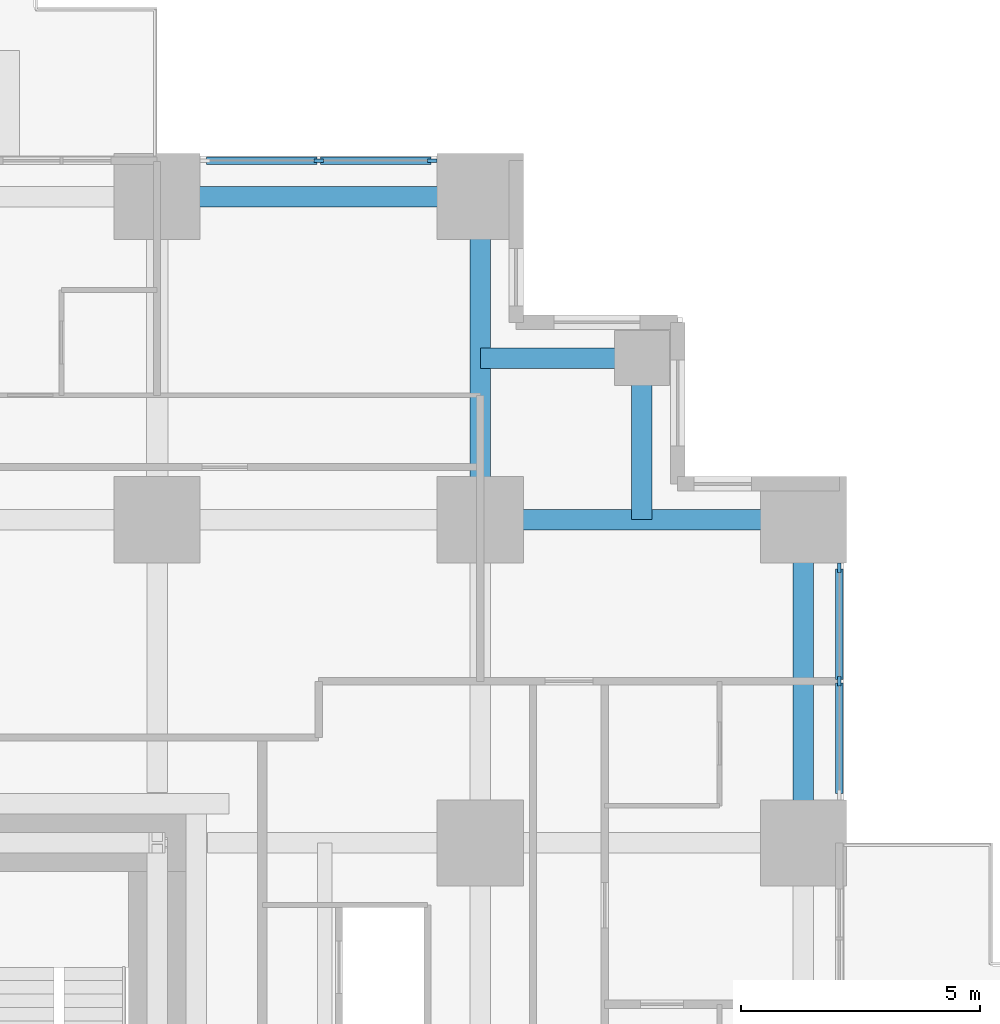
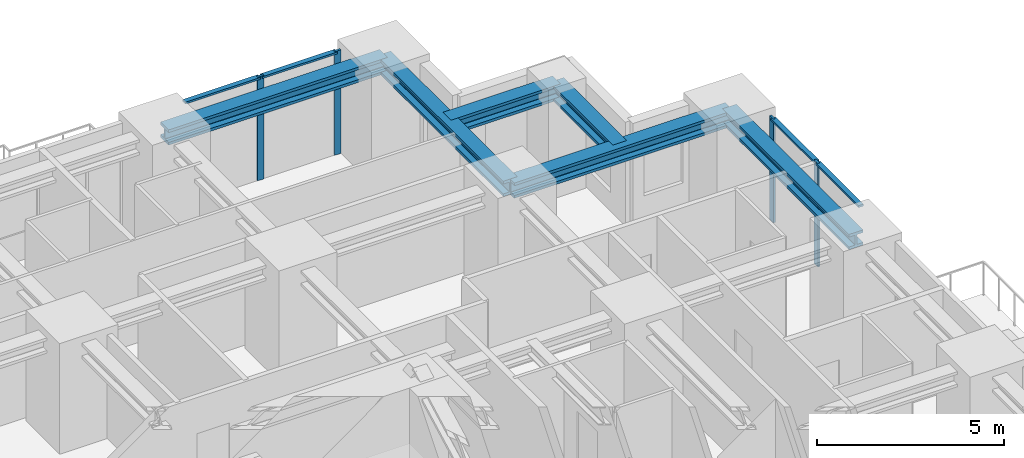
# One storey, part 6 of 14: 8 members, 6 beams, 2 elements without a shape of their own.
"""IFC4 building model written with IfcOpenShell, lengths in metres."""

from ifc_helpers import new_model, si_unit, direction, frame, origin, origin_2d, place, context, subcontext, project, spatial, rectangle, i_section, extrude, material, material_profile, profile_set, type_object, element, aggregate, save


model = new_model("IFC4")

# Units and contexts
model_context = context("Model", 3, precision=1e-05, world=origin(), true_north=direction((0.0, 1.0)))
body_context = subcontext(model_context, "Body", "Model", "MODEL_VIEW")
ifc_project = project(units=[si_unit("LENGTHUNIT", "METRE"), si_unit("AREAUNIT", "SQUARE_METRE"), si_unit("VOLUMEUNIT", "CUBIC_METRE"), si_unit("PLANEANGLEUNIT", "RADIAN"), si_unit("MASSUNIT", "GRAM", prefix="KILO")], contexts=[model_context])

# Site, building, storey
site_placement = place(None, origin())
site = spatial("IfcSite", under=ifc_project, at=site_placement, CompositionType="ELEMENT")
building_placement = place(site_placement, origin())
building = spatial("IfcBuilding", under=site, at=building_placement, Name="Nyansa Garden Tower", CompositionType="ELEMENT")
storey_placement = place(building_placement, frame((0.0, 0.0, 64.800048828125)))
storey = spatial("IfcBuildingStorey", under=building, at=storey_placement, Name="L17", CompositionType="ELEMENT", Elevation=64.800048828125)

# Curtain wall, members
ifc_material_1 = material(Name="Black anodised aluminium, dark tinted double glazing", Category="aluminium")
curtain_wall_type = type_object("IfcCurtainWallType", Name="Inner skin curtain wall ISW-A", PredefinedType="USERDEFINED", material=ifc_material_1)
curtain_wall_1_placement = place(storey_placement, origin())
curtain_wall_1 = element("IfcCurtainWall", 1, at=curtain_wall_1_placement, inside=storey, type_object=curtain_wall_type, Name="Inner skin curtain wall L17 E", ObjectType="UNITISED CURTAIN WALL", PredefinedType="USERDEFINED")
ifc_material_2 = material(Name="Black anodised aluminium", Category="aluminium")
ifc_material_profile_1 = material_profile(ifc_material_2, rectangle(XDim=0.06494140625, YDim=0.199951171875, at=origin_2d()), Name="Mullion 200x65")
ifc_profile_set_1 = profile_set([ifc_material_profile_1], Name="Black anodised aluminium")
member_type_1 = type_object("IfcMemberType", Name="Mullion ISW-A 200x65", PredefinedType="MULLION", material=ifc_profile_set_1)
member_1_placement = place(storey_placement, frame((41.25, 30.375, 0.0), z_axis=(0.0, 0.0, 1.0), x_axis=(-1.0, 0.0, 0.0)))
member_1 = element("IfcMember", 2, at=member_1_placement, type_object=member_type_1, Name="ISW-A mullion 2", PredefinedType="MULLION", context=body_context, shape_type="SweptSolid", body=[
    extrude(rectangle(XDim=0.06494140625, YDim=0.199951171875, at=origin_2d()), origin(), (0.0, 0.0, 1.0), 3.375),
])
member_2_placement = place(storey_placement, frame((41.25, 32.75, 0.0), z_axis=(0.0, 0.0, 1.0), x_axis=(-1.0, 0.0, 0.0)))
member_2 = element("IfcMember", 3, at=member_2_placement, type_object=member_type_1, Name="ISW-A mullion 3", PredefinedType="MULLION", context=body_context, shape_type="SweptSolid", body=[
    extrude(rectangle(XDim=0.06494140625, YDim=0.199951171875, at=origin_2d()), origin(), (0.0, 0.0, 1.0), 3.375),
])

curtain_wall_2_placement = place(storey_placement, origin())
curtain_wall_2 = element("IfcCurtainWall", 4, at=curtain_wall_2_placement, inside=storey, type_object=curtain_wall_type, Name="Inner skin curtain wall L17 N", ObjectType="UNITISED CURTAIN WALL", PredefinedType="USERDEFINED")
member_3_placement = place(storey_placement, frame((32.75, 41.25, 0.0), z_axis=(0.0, 0.0, 1.0), x_axis=(0.0, -1.0, 0.0)))
member_3 = element("IfcMember", 5, at=member_3_placement, type_object=member_type_1, Name="ISW-A mullion 1", PredefinedType="MULLION", context=body_context, shape_type="SweptSolid", body=[
    extrude(rectangle(XDim=0.06494140625, YDim=0.199951171875, at=origin_2d()), origin(), (0.0, 0.0, 1.0), 3.375),
])
member_4_placement = place(storey_placement, frame((30.375, 41.25, 0.0), z_axis=(0.0, 0.0, 1.0), x_axis=(0.0, -1.0, 0.0)))
member_4 = element("IfcMember", 6, at=member_4_placement, type_object=member_type_1, Name="ISW-A mullion 2", PredefinedType="MULLION", context=body_context, shape_type="SweptSolid", body=[
    extrude(rectangle(XDim=0.06494140625, YDim=0.199951171875, at=origin_2d()), origin(), (0.0, 0.0, 1.0), 3.375),
])

# Beams
ifc_material_3 = material(Name="Steel S355", Category="steel")
ifc_material_profile_2 = material_profile(ifc_material_3, i_section(OverallWidth=0.431884765625, OverallDepth=0.498046875, WebThickness=0.0556640625, FlangeThickness=0.0888671875, FilletRadius=0.014892578125, at=origin_2d()), Name="HD 400x744")
ifc_profile_set_2 = profile_set([ifc_material_profile_2], Name="Steel S355")
beam_type_1 = type_object("IfcBeamType", Name="Steel beam SBA1-744 HD 400x744", PredefinedType="BEAM", material=ifc_profile_set_2)
for number, where, z_axis, x_axis, name in (
    (7, (33.75, 33.75, 3.1259765625), (0.0, 1.0, 0.0), (-1.0, 0.0, 0.0), "Steel beam 7/J-7/K L18"),
    (8, (33.75, 33.75, 3.1259765625), (1.0, 0.0, 0.0), (0.0, 1.0, 0.0), "Steel beam 7/J-8/J L18"),
):
    element("IfcBeam", number, at=place(storey_placement, frame(where, z_axis=z_axis, x_axis=x_axis)), inside=storey, type_object=beam_type_1, Name=name, PredefinedType="BEAM", context=body_context, shape_type="SweptSolid", body=[
        extrude(i_section(OverallWidth=0.431884765625, OverallDepth=0.498046875, WebThickness=0.0556640625, FlangeThickness=0.0888671875, FilletRadius=0.014892578125, at=origin_2d()), origin(), (0.0, 0.0, 1.0), 6.75),
    ])
ifc_material_4 = material(Name="Steel S355", Category="steel")
ifc_material_profile_3 = material_profile(ifc_material_4, i_section(OverallWidth=0.431884765625, OverallDepth=0.498046875, WebThickness=0.0556640625, FlangeThickness=0.0888671875, FilletRadius=0.014892578125, at=origin_2d()), Name="HD 400x744")
ifc_profile_set_3 = profile_set([ifc_material_profile_3], Name="Steel S355")
beam_type_2 = type_object("IfcBeamType", Name="Steel beam SEBA-744 HD 400x744", PredefinedType="BEAM", material=ifc_profile_set_3)
for number, where, z_axis, x_axis, name in (
    (9, (27.0, 40.5, 3.1259765625), (1.0, 0.0, 0.0), (0.0, 1.0, 0.0), "Steel edge beam 6/K-7/K L18"),
    (10, (40.5, 27.0, 3.1259765625), (0.0, 1.0, 0.0), (-1.0, 0.0, 0.0), "Steel edge beam 8/H-8/J L18"),
):
    element("IfcBeam", number, at=place(storey_placement, frame(where, z_axis=z_axis, x_axis=x_axis)), inside=storey, type_object=beam_type_2, Name=name, PredefinedType="BEAM", context=body_context, shape_type="SweptSolid", body=[
        extrude(i_section(OverallWidth=0.431884765625, OverallDepth=0.498046875, WebThickness=0.0556640625, FlangeThickness=0.0888671875, FilletRadius=0.014892578125, at=origin_2d()), origin(), (0.0, 0.0, 1.0), 6.75),
    ])
ifc_material_5 = material(Name="Steel S355", Category="steel")
ifc_material_profile_4 = material_profile(ifc_material_5, i_section(OverallWidth=0.431884765625, OverallDepth=0.498046875, WebThickness=0.0556640625, FlangeThickness=0.0888671875, FilletRadius=0.014892578125, at=origin_2d()), Name="HD 400x744")
ifc_profile_set_4 = profile_set([ifc_material_profile_4], Name="Steel S355")
beam_type_3 = type_object("IfcBeamType", Name="Steel beam SSB1-744 HD 400x744", PredefinedType="BEAM", material=ifc_profile_set_4)
for number, where, z_axis, x_axis, name in (
    (11, (37.125, 37.125, 3.1259765625), (0.0, -1.0, 0.0), (1.0, 0.0, 0.0), "Steel step beam 37.125/37.125 L18"),
    (12, (37.125, 37.125, 3.1259765625), (-1.0, 0.0, 0.0), (0.0, -1.0, 0.0), "Steel step beam 37.125/37.125 L18"),
):
    element("IfcBeam", number, at=place(storey_placement, frame(where, z_axis=z_axis, x_axis=x_axis)), inside=storey, type_object=beam_type_3, Name=name, PredefinedType="BEAM", context=body_context, shape_type="SweptSolid", body=[
        extrude(i_section(OverallWidth=0.431884765625, OverallDepth=0.498046875, WebThickness=0.0556640625, FlangeThickness=0.0888671875, FilletRadius=0.014892578125, at=origin_2d()), origin(), (0.0, 0.0, 1.0), 3.375),
    ])

# Member
ifc_material_6 = material(Name="Black anodised aluminium", Category="aluminium")
ifc_material_profile_5 = material_profile(ifc_material_6, rectangle(XDim=0.14990234375, YDim=0.06494140625, at=origin_2d()), Name="Transom 150x65")
ifc_profile_set_5 = profile_set([ifc_material_profile_5], Name="Black anodised aluminium")
member_type_2 = type_object("IfcMemberType", Name="Transom ISW-A 150x65", PredefinedType="USERDEFINED", material=ifc_profile_set_5)
member_5_placement = place(storey_placement, frame((41.25, 28.032470703125, 3.342529296875), z_axis=(0.0, 1.0, 0.0), x_axis=(-1.0, 0.0, 0.0)))
member_5 = element("IfcMember", 13, at=member_5_placement, type_object=member_type_2, Name="ISW-A transom 1", ObjectType="TRANSOM", PredefinedType="USERDEFINED", context=body_context, shape_type="SweptSolid", body=[
    extrude(rectangle(XDim=0.14990234375, YDim=0.06494140625, at=origin_2d()), origin(), (0.0, 0.0, 1.0), 2.31005859375),
])

member_6_placement = place(storey_placement, frame((41.25, 30.407470703125, 3.342529296875), z_axis=(0.0, 1.0, 0.0), x_axis=(-1.0, 0.0, 0.0)))
member_6 = element("IfcMember", 14, at=member_6_placement, type_object=member_type_2, Name="ISW-A transom 2", ObjectType="TRANSOM", PredefinedType="USERDEFINED", context=body_context, shape_type="SweptSolid", body=[
    extrude(rectangle(XDim=0.14990234375, YDim=0.06494140625, at=origin_2d()), origin(), (0.0, 0.0, 1.0), 2.31005859375),
])

aggregate(curtain_wall_1, [member_1, member_2, member_5, member_6])

member_7_placement = place(storey_placement, frame((32.717529296875, 41.25, 3.342529296875), z_axis=(-1.0, 0.0, 0.0), x_axis=(0.0, -1.0, 0.0)))
member_7 = element("IfcMember", 15, at=member_7_placement, type_object=member_type_2, Name="ISW-A transom 1", ObjectType="TRANSOM", PredefinedType="USERDEFINED", context=body_context, shape_type="SweptSolid", body=[
    extrude(rectangle(XDim=0.14990234375, YDim=0.06494140625, at=origin_2d()), origin(), (0.0, 0.0, 1.0), 2.31005859375),
])

member_8_placement = place(storey_placement, frame((30.342529296875, 41.25, 3.342529296875), z_axis=(-1.0, 0.0, 0.0), x_axis=(0.0, -1.0, 0.0)))
member_8 = element("IfcMember", 16, at=member_8_placement, type_object=member_type_2, Name="ISW-A transom 2", ObjectType="TRANSOM", PredefinedType="USERDEFINED", context=body_context, shape_type="SweptSolid", body=[
    extrude(rectangle(XDim=0.14990234375, YDim=0.06494140625, at=origin_2d()), origin(), (0.0, 0.0, 1.0), 2.31005859375),
])

aggregate(curtain_wall_2, [member_3, member_4, member_7, member_8])

save(model, "model.ifc")
